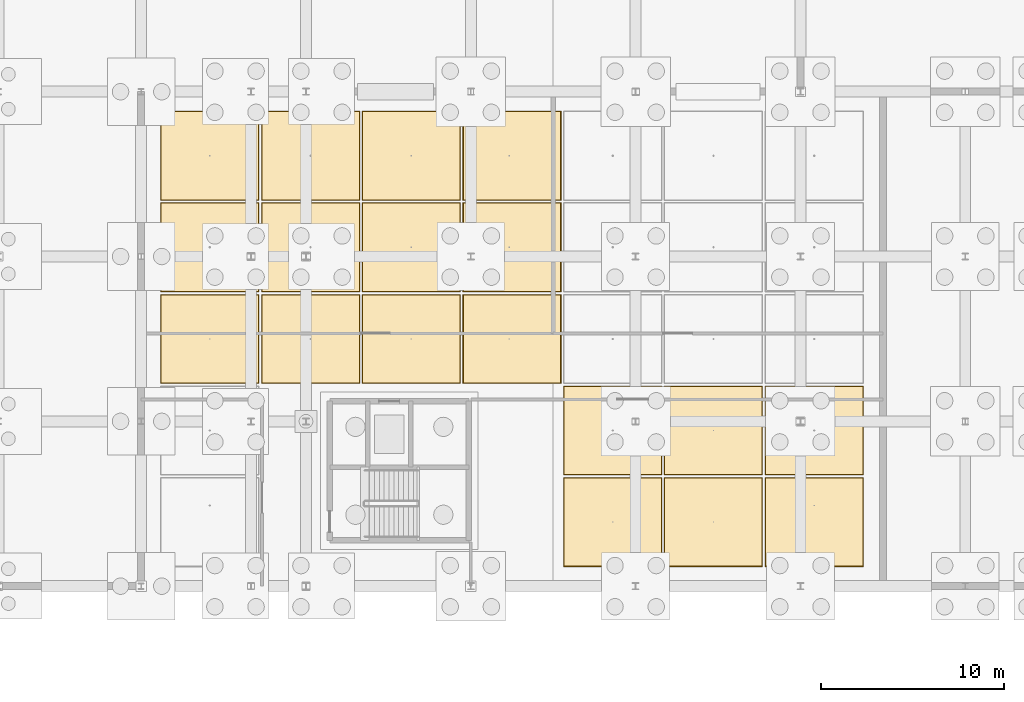
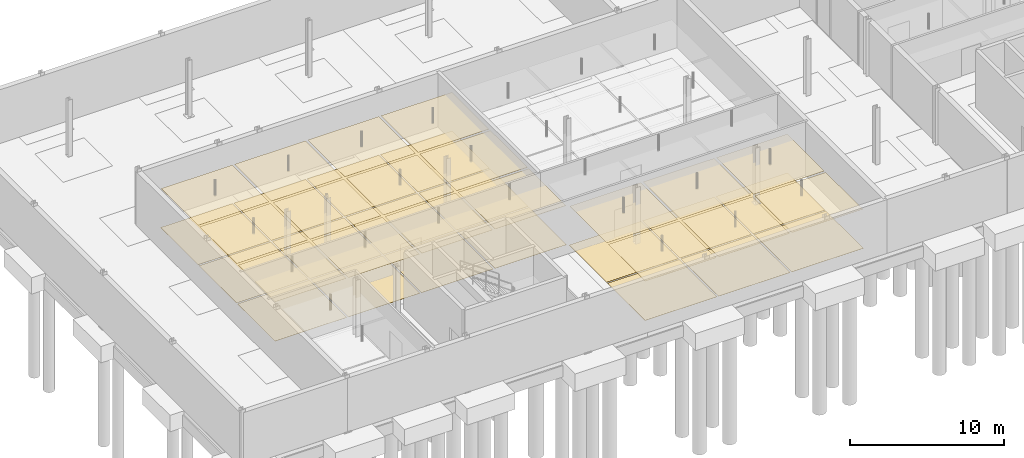
# One storey, part 45 of 48: 36 coverings.
"""IFC4 building model written with IfcOpenShell, lengths in metres."""

import ifcopenshell
import ifcopenshell.guid

model = None  # the IFC model being written
_history = None  # IfcOwnerHistory: only IFC2X3 demands one
_inside = {}  # id of a spatial element -> (the spatial element, [elements in it])
_under = {}  # id of a project, library or spatial element -> (it, [spatial elements below it])
_declared = {}  # id of a project -> (the project, [libraries it declares])
_typed = {}  # id of a type object -> (the type object, [elements of that type])
_made_of = {}  # id of a material, layer set ... -> (it, [elements and type objects made of it])


def new_model(schema):
    """Start an empty IFC model of exactly this schema.

    Asked for "IFC4X3", IfcOpenShell would pick the latest addendum, in which some entities
    have other attributes; the version numbers below select the first issue.
    IFC2X3 requires an IfcOwnerHistory on every rooted entity: one is made here for all.
    """
    global model, _history
    if schema == "IFC4X3":
        model = ifcopenshell.file(schema_version=(4, 3, 0, 0))
    else:
        model = ifcopenshell.file(schema=schema)
    _inside.clear()
    _under.clear()
    _declared.clear()
    _typed.clear()
    _made_of.clear()
    _history = None
    if model.schema == "IFC2X3":
        org = make("IfcOrganization", Name="unknown")
        user = make(
            "IfcPersonAndOrganization",
            ThePerson=make("IfcPerson", FamilyName="unknown"),
            TheOrganization=org,
        )
        app = make(
            "IfcApplication",
            ApplicationDeveloper=org,
            Version="unknown",
            ApplicationFullName="unknown",
            ApplicationIdentifier="unknown",
        )
        _history = make(
            "IfcOwnerHistory",
            OwningUser=user,
            OwningApplication=app,
            ChangeAction="ADDED",
            CreationDate=0,
        )
    return model


def make(cls, **values):
    """One entity of the class cls with the attributes given. An attribute that is None is left unset."""
    return model.create_entity(
        cls, **{name: value for name, value in values.items() if value is not None}
    )


def rooted(cls, **values):
    """An entity with a GlobalId (a new one), such as an element, a storey or a relation."""
    return make(cls, GlobalId=ifcopenshell.guid.new(), OwnerHistory=_history, **values)


def si_unit(unit_type, name, prefix=None):
    """IfcSIUnit, for example si_unit("LENGTHUNIT", "METRE", prefix="MILLI")."""
    return make("IfcSIUnit", UnitType=unit_type, Prefix=prefix, Name=name)


def assignment(units):
    """IfcUnitAssignment: the units of a project."""
    return None if units is None else make("IfcUnitAssignment", Units=units)


def point(xyz):
    """IfcCartesianPoint."""
    return None if xyz is None else make("IfcCartesianPoint", Coordinates=xyz)


def direction(xyz):
    """IfcDirection."""
    return None if xyz is None else make("IfcDirection", DirectionRatios=xyz)


def frame(location, z_axis=None, x_axis=None):
    """IfcAxis2Placement3D, a coordinate frame: its origin and axes. An axis left out is left unset."""
    return make(
        "IfcAxis2Placement3D",
        Location=point(location),
        Axis=direction(z_axis),
        RefDirection=direction(x_axis),
    )


def frame_2d(location, x_axis=None):
    """IfcAxis2Placement2D, a coordinate frame in the plane: its origin and x axis."""
    return make(
        "IfcAxis2Placement2D", Location=point(location), RefDirection=direction(x_axis)
    )


def origin():
    """The frame at (0, 0, 0) with its axes left unset."""
    return frame((0.0, 0.0, 0.0))


def origin_2d():
    """The frame at (0, 0) in the plane with its x axis left unset."""
    return frame_2d((0.0, 0.0))


def place(relative_to, where):
    """IfcLocalPlacement: puts the frame where relative to a parent placement (None: the world)."""
    return make(
        "IfcLocalPlacement", PlacementRelTo=relative_to, RelativePlacement=where
    )


def context(
    kind, dimensions, precision=None, world=None, true_north=None, identifier=None
):
    """IfcGeometricRepresentationContext, for example the 3D "Model" context."""
    return make(
        "IfcGeometricRepresentationContext",
        ContextIdentifier=identifier,
        ContextType=kind,
        CoordinateSpaceDimension=dimensions,
        Precision=precision,
        WorldCoordinateSystem=world,
        TrueNorth=true_north,
    )


def subcontext(parent, identifier, kind, view, scale=None):
    """IfcGeometricRepresentationSubContext, for example "Body" below "Model"."""
    return make(
        "IfcGeometricRepresentationSubContext",
        ContextIdentifier=identifier,
        ContextType=kind,
        ParentContext=parent,
        TargetScale=scale,
        TargetView=view,
    )


def project(units=None, contexts=None):
    """IfcProject with its units and contexts."""
    return rooted(
        "IfcProject",
        Name="project",
        RepresentationContexts=contexts,
        UnitsInContext=assignment(units),
    )


def spatial(cls, under=None, at=None, **own):
    """A site, building, storey or space (cls), placed at a placement, below another one or the project."""
    s = rooted(cls, ObjectPlacement=at, **own)
    if under is not None:
        _under.setdefault(under.id(), (under, []))[1].append(s)
    return s


def profile(cls, at=None, kind="AREA", **sizes):
    """A parametric profile (cls). Its sizes go by their IFC names, for example OverallWidth=200.0."""
    return make(cls, ProfileType=kind, Position=at, **sizes)


def rectangle(**sizes):
    """IfcRectangleProfileDef."""
    return profile("IfcRectangleProfileDef", **sizes)


def extrude(swept, where, along, depth):
    """IfcExtrudedAreaSolid: the profile swept, set in the frame where, extruded along a direction by depth."""
    return make(
        "IfcExtrudedAreaSolid",
        SweptArea=swept,
        Position=where,
        ExtrudedDirection=direction(along),
        Depth=depth,
    )


def shape(context_of_items, identifier, shape_type, items):
    """IfcShapeRepresentation: the items that make up one representation, for example the "Body"."""
    return make(
        "IfcShapeRepresentation",
        ContextOfItems=context_of_items,
        RepresentationIdentifier=identifier,
        RepresentationType=shape_type,
        Items=items,
    )


def material(Name=None, Category=None):
    """IfcMaterial."""
    return make("IfcMaterial", Name=Name, Category=Category)


def layer(
    of_material, thickness, ventilated=None, Name=None, Category=None, Priority=None
):
    """IfcMaterialLayer: one layer of a wall or slab, of a material (None: an air gap)."""
    return make(
        "IfcMaterialLayer",
        Material=of_material,
        LayerThickness=thickness,
        IsVentilated=ventilated,
        Name=Name,
        Category=Category,
        Priority=Priority,
    )


def layer_set(layers, Name=None):
    """IfcMaterialLayerSet."""
    return make("IfcMaterialLayerSet", MaterialLayers=layers, LayerSetName=Name)


def made_of(thing, what):
    """Note that an element or type object is made of a material, layer set ...; save() writes the relation."""
    if what is not None:
        _made_of.setdefault(what.id(), (what, []))[1].append(thing)
    return thing


def type_object(cls, material=None, **own):
    """A type object (cls), such as IfcWallType, which elements share."""
    return made_of(rooted(cls, **own), material)


def element(
    cls,
    number,
    at=None,
    inside=None,
    cuts=None,
    type_object=None,
    material=None,
    context=None,
    identifier="Body",
    shape_type=None,
    held_by="IfcProductDefinitionShape",
    body=None,
    shapes=None,
    **own,
):
    """One element of the class cls, such as IfcWall. Its Tag is "e" and its number.

    at: its placement. inside: the storey or other place that contains it. cuts: it is an
    opening in that element (IfcRelVoidsElement). A single representation is given by context,
    identifier, shape_type and body (its items); several are given by shapes. held_by: the class
    of the entity that holds the representations. save() writes the other relations.
    """
    e = rooted(cls, Tag="e%d" % number, ObjectPlacement=at, **own)
    if body is not None:
        shapes = [shape(context, identifier, shape_type, body)]
    if shapes is not None:
        e.Representation = make(held_by, Representations=shapes)
    if inside is not None:
        _inside.setdefault(inside.id(), (inside, []))[1].append(e)
    if cuts is not None:
        rooted(
            "IfcRelVoidsElement", RelatingBuildingElement=cuts, RelatedOpeningElement=e
        )
    if type_object is not None:
        _typed.setdefault(type_object.id(), (type_object, []))[1].append(e)
    return made_of(e, material)


def aggregate(whole, parts):
    """IfcRelAggregates: a whole, such as a stair, and the parts it consists of."""
    return rooted("IfcRelAggregates", RelatingObject=whole, RelatedObjects=parts)


def save(model, path):
    """Write the relations noted so far, then the file.

    IfcRelAggregates (storeys below a building ...), IfcRelContainedInSpatialStructure (elements
    in a storey), IfcRelDefinesByType, IfcRelAssociatesMaterial and IfcRelDeclares: one each for
    every whole, place, type object, material and project.
    """
    for whole, parts in _under.values():
        aggregate(whole, parts)
    for where, things in _inside.values():
        rooted(
            "IfcRelContainedInSpatialStructure",
            RelatedElements=things,
            RelatingStructure=where,
        )
    for kind, things in _typed.values():
        rooted("IfcRelDefinesByType", RelatedObjects=things, RelatingType=kind)
    for what, things in _made_of.values():
        rooted("IfcRelAssociatesMaterial", RelatedObjects=things, RelatingMaterial=what)
    for by, libraries in _declared.values():
        rooted("IfcRelDeclares", RelatingContext=by, RelatedDefinitions=libraries)
    model.write(path)


model = new_model("IFC4")

# Units and contexts
model_context = context("Model", 3, precision=1e-05, world=origin(), true_north=direction((0.0, 1.0)))
body_context = subcontext(model_context, "Body", "Model", "MODEL_VIEW")
ifc_project = project(units=[si_unit("LENGTHUNIT", "METRE"), si_unit("AREAUNIT", "SQUARE_METRE"), si_unit("VOLUMEUNIT", "CUBIC_METRE"), si_unit("PLANEANGLEUNIT", "RADIAN"), si_unit("MASSUNIT", "GRAM", prefix="KILO"), si_unit("THERMODYNAMICTEMPERATUREUNIT", "KELVIN"), si_unit("POWERUNIT", "WATT")], contexts=[model_context])

# Site, building, storey
site_placement = place(None, origin())
site = spatial("IfcSite", under=ifc_project, at=site_placement, CompositionType="ELEMENT")
building_placement = place(site_placement, origin())
building = spatial("IfcBuilding", under=site, at=building_placement, Name="Tallowbark Science Centre", CompositionType="ELEMENT")
storey_placement = place(building_placement, frame((0.0, 0.0, -4.5)))
storey = spatial("IfcBuildingStorey", under=building, at=storey_placement, Name="B1", CompositionType="ELEMENT", Elevation=-4.5)

# Coverings
ifc_material_1 = material(Name="Cleanable Vinyl-Faced Laboratory Ceiling Tile")
ifc_layer_1 = layer(ifc_material_1, 0.01611328125)
ifc_layer_set_1 = layer_set([ifc_layer_1], Name="Cleanable Vinyl-Faced Laboratory Ceiling Tile")
covering_type_1 = type_object("IfcCoveringType", Name="CLG-LAB-16", PredefinedType="CEILING", material=ifc_layer_set_1)
for number, where, z_axis, x_axis, name in (
    (1, (66.75, 85.5, 3.092041015625), (0.0, 0.0, 1.0), (1.0, 0.0, 0.0), "Suspended Ceiling B1-36"),
    (2, (66.75, 90.5, 3.092041015625), (0.0, 0.0, 1.0), (1.0, 0.0, 0.0), "Suspended Ceiling B1-37"),
    (3, (66.75, 95.5, 3.092041015625), (0.0, 0.0, 1.0), (1.0, 0.0, 0.0), "Suspended Ceiling B1-38"),
    (4, (72.25, 85.5, 3.092041015625), (0.0, 0.0, 1.0), (1.0, 0.0, 0.0), "Suspended Ceiling B1-39"),
    (5, (72.25, 90.5, 3.092041015625), (0.0, 0.0, 1.0), (1.0, 0.0, 0.0), "Suspended Ceiling B1-40"),
    (6, (72.25, 95.5, 3.092041015625), (0.0, 0.0, 1.0), (1.0, 0.0, 0.0), "Suspended Ceiling B1-41"),
    (7, (77.75, 85.5, 3.092041015625), (0.0, 0.0, 1.0), (1.0, 0.0, 0.0), "Suspended Ceiling B1-42"),
    (8, (77.75, 90.5, 3.092041015625), (0.0, 0.0, 1.0), (1.0, 0.0, 0.0), "Suspended Ceiling B1-43"),
    (9, (77.75, 95.5, 3.092041015625), (0.0, 0.0, 1.0), (1.0, 0.0, 0.0), "Suspended Ceiling B1-44"),
    (10, (83.25, 85.5, 3.092041015625), (0.0, 0.0, 1.0), (1.0, 0.0, 0.0), "Suspended Ceiling B1-45"),
    (11, (83.25, 90.5, 3.092041015625), (0.0, 0.0, 1.0), (1.0, 0.0, 0.0), "Suspended Ceiling B1-46"),
    (12, (83.25, 95.5, 3.092041015625), (0.0, 0.0, 1.0), (1.0, 0.0, 0.0), "Suspended Ceiling B1-47"),
    (13, (88.75, 75.5, 3.092041015625), (0.0, 0.0, 1.0), (1.0, 0.0, 0.0), "Suspended Ceiling B1-48"),
    (14, (88.75, 80.5, 3.092041015625), (0.0, 0.0, 1.0), (1.0, 0.0, 0.0), "Suspended Ceiling B1-49"),
    (15, (94.25, 75.5, 3.092041015625), (0.0, 0.0, 1.0), (1.0, 0.0, 0.0), "Suspended Ceiling B1-53"),
    (16, (94.25, 80.5, 3.092041015625), (0.0, 0.0, 1.0), (1.0, 0.0, 0.0), "Suspended Ceiling B1-54"),
    (17, (99.75, 75.5, 3.092041015625), (0.0, 0.0, 1.0), (1.0, 0.0, 0.0), "Suspended Ceiling B1-58"),
    (18, (99.75, 80.5, 3.092041015625), (0.0, 0.0, 1.0), (1.0, 0.0, 0.0), "Suspended Ceiling B1-59"),
):
    element("IfcCovering", number, at=place(storey_placement, frame(where, z_axis=z_axis, x_axis=x_axis)), inside=storey, type_object=covering_type_1, Name=name, PredefinedType="CEILING", context=body_context, shape_type="SweptSolid", body=[
        extrude(rectangle(XDim=5.320068359375, YDim=4.820068359375, at=origin_2d()), origin(), (0.0, 0.0, 1.0), 0.01611328125),
    ])
ifc_material_2 = material(Name="Chemical-Resistant Seamless Laboratory Vinyl")
ifc_layer_2 = layer(ifc_material_2, 0.011962890625)
ifc_layer_set_2 = layer_set([ifc_layer_2], Name="Chemical-Resistant Seamless Laboratory Vinyl")
covering_type_2 = type_object("IfcCoveringType", Name="FLR-VIN-12", PredefinedType="FLOORING", material=ifc_layer_set_2)
for number, where, z_axis, x_axis, name in (
    (19, (66.75, 85.5, 0.0), (0.0, 0.0, 1.0), (1.0, 0.0, 0.0), "Floor Finish B1-36"),
    (20, (66.75, 90.5, 0.0), (0.0, 0.0, 1.0), (1.0, 0.0, 0.0), "Floor Finish B1-37"),
    (21, (66.75, 95.5, 0.0), (0.0, 0.0, 1.0), (1.0, 0.0, 0.0), "Floor Finish B1-38"),
    (22, (72.25, 85.5, 0.0), (0.0, 0.0, 1.0), (1.0, 0.0, 0.0), "Floor Finish B1-39"),
    (23, (72.25, 90.5, 0.0), (0.0, 0.0, 1.0), (1.0, 0.0, 0.0), "Floor Finish B1-40"),
    (24, (72.25, 95.5, 0.0), (0.0, 0.0, 1.0), (1.0, 0.0, 0.0), "Floor Finish B1-41"),
    (25, (77.75, 85.5, 0.0), (0.0, 0.0, 1.0), (1.0, 0.0, 0.0), "Floor Finish B1-42"),
    (26, (77.75, 90.5, 0.0), (0.0, 0.0, 1.0), (1.0, 0.0, 0.0), "Floor Finish B1-43"),
    (27, (77.75, 95.5, 0.0), (0.0, 0.0, 1.0), (1.0, 0.0, 0.0), "Floor Finish B1-44"),
    (28, (83.25, 85.5, 0.0), (0.0, 0.0, 1.0), (1.0, 0.0, 0.0), "Floor Finish B1-45"),
    (29, (83.25, 90.5, 0.0), (0.0, 0.0, 1.0), (1.0, 0.0, 0.0), "Floor Finish B1-46"),
    (30, (83.25, 95.5, 0.0), (0.0, 0.0, 1.0), (1.0, 0.0, 0.0), "Floor Finish B1-47"),
    (31, (88.75, 75.5, 0.0), (0.0, 0.0, 1.0), (1.0, 0.0, 0.0), "Floor Finish B1-48"),
    (32, (88.75, 80.5, 0.0), (0.0, 0.0, 1.0), (1.0, 0.0, 0.0), "Floor Finish B1-49"),
    (33, (94.25, 75.5, 0.0), (0.0, 0.0, 1.0), (1.0, 0.0, 0.0), "Floor Finish B1-53"),
    (34, (94.25, 80.5, 0.0), (0.0, 0.0, 1.0), (1.0, 0.0, 0.0), "Floor Finish B1-54"),
    (35, (99.75, 75.5, 0.0), (0.0, 0.0, 1.0), (1.0, 0.0, 0.0), "Floor Finish B1-58"),
    (36, (99.75, 80.5, 0.0), (0.0, 0.0, 1.0), (1.0, 0.0, 0.0), "Floor Finish B1-59"),
):
    element("IfcCovering", number, at=place(storey_placement, frame(where, z_axis=z_axis, x_axis=x_axis)), inside=storey, type_object=covering_type_2, Name=name, PredefinedType="FLOORING", context=body_context, shape_type="SweptSolid", body=[
        extrude(rectangle(XDim=5.3798828125, YDim=4.8798828125, at=origin_2d()), origin(), (0.0, 0.0, 1.0), 0.011962890625),
    ])

save(model, "model.ifc")
